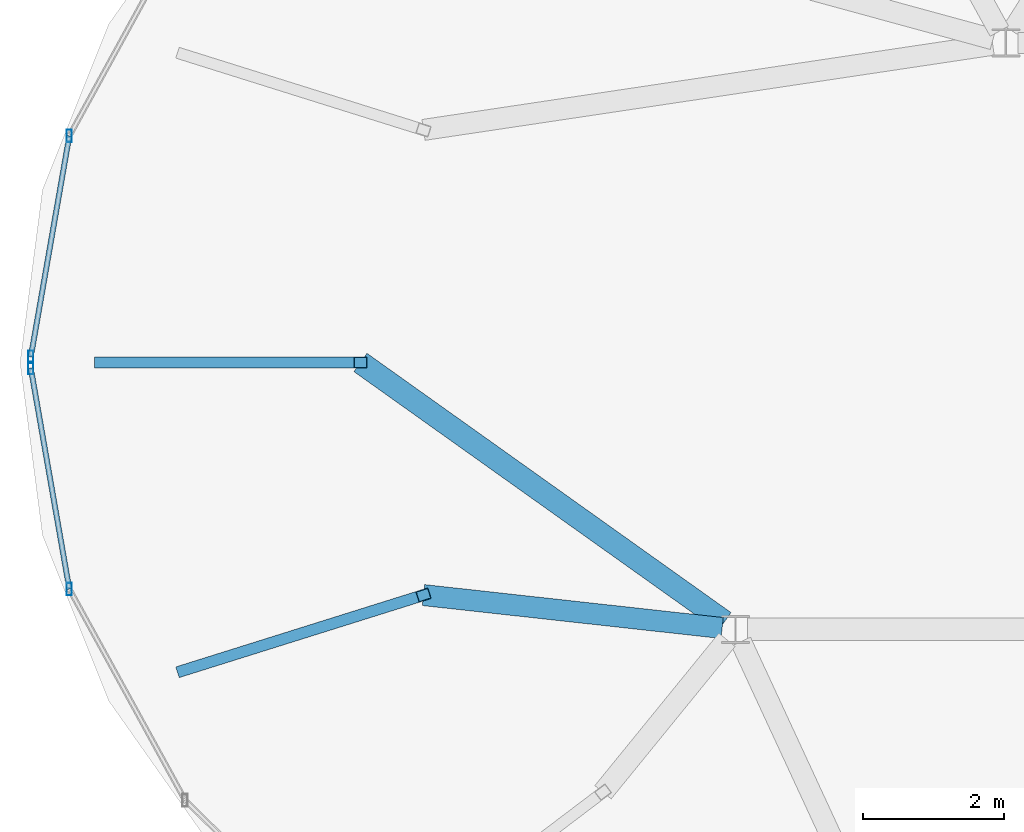
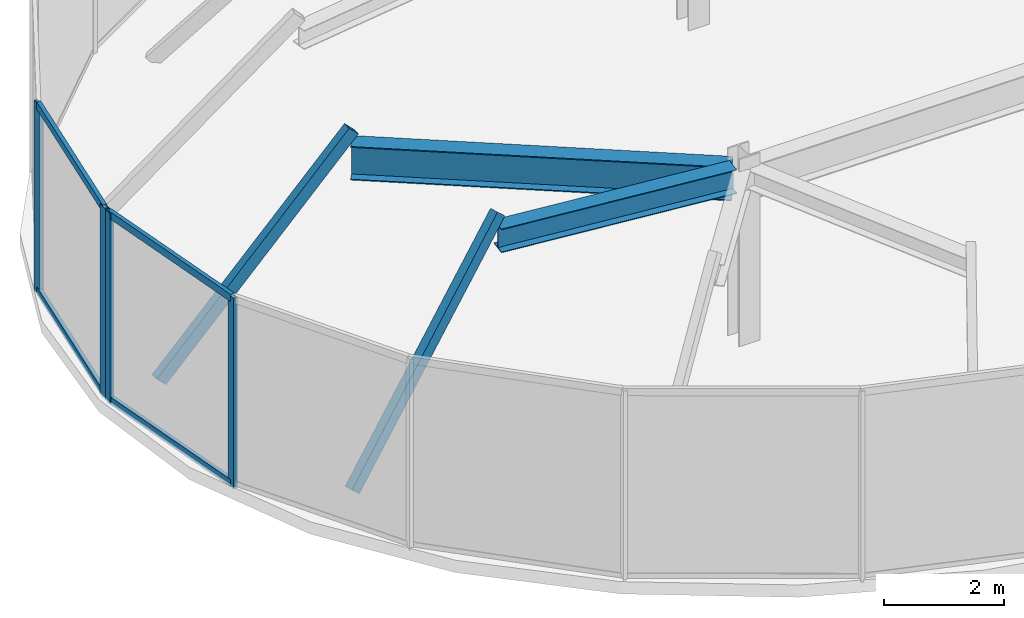
# One storey, part 4 of 13: 10 members, 2 beams, 2 elements without a shape of their own.
"""IFC4 building model written with IfcOpenShell, lengths in metres."""

from ifc_helpers import new_model, si_unit, direction, frame, origin, origin_2d, place, context, subcontext, project, spatial, hollow_rectangle, i_section, extrude, material, material_profile, profile_set, type_object, element, aggregate, save


model = new_model("IFC4")

# Units and contexts
model_context = context("Model", 3, precision=1e-05, world=origin(), true_north=direction((0.0, 1.0)))
body_context = subcontext(model_context, "Body", "Model", "MODEL_VIEW")
ifc_project = project(units=[si_unit("LENGTHUNIT", "METRE"), si_unit("AREAUNIT", "SQUARE_METRE"), si_unit("VOLUMEUNIT", "CUBIC_METRE"), si_unit("PLANEANGLEUNIT", "RADIAN"), si_unit("MASSUNIT", "GRAM", prefix="KILO")], contexts=[model_context])

# Site, building, storey
site_placement = place(None, origin())
site = spatial("IfcSite", under=ifc_project, at=site_placement, CompositionType="ELEMENT")
building_placement = place(site_placement, origin())
building = spatial("IfcBuilding", under=site, at=building_placement, Name="Vorneva Point Tower", CompositionType="ELEMENT")
storey_placement = place(building_placement, frame((0.0, 0.0, 303.0)))
storey = spatial("IfcBuildingStorey", under=building, at=storey_placement, Name="C03", CompositionType="ELEMENT", Elevation=303.0)

# Beams
ifc_material_1 = material(Name="Steel S355", Category="steel")
ifc_material_profile_1 = material_profile(ifc_material_1, i_section(OverallWidth=0.300048828125, OverallDepth=0.48193359375, WebThickness=0.010986328125, FlangeThickness=0.014892578125, at=origin_2d()), Name="50Sh1")
ifc_profile_set_1 = profile_set([ifc_material_profile_1], Name="Steel S355")
beam_type_1 = type_object("IfcBeamType", Name="BM-GRD-50Sh1", PredefinedType="USERDEFINED", material=ifc_profile_set_1)
beam_1_placement = place(storey_placement, frame((27.111083984375, 22.689697265625, 3.30908203125), z_axis=(0.993966316977, -0.109685736151, 0.0), x_axis=(0.109685736151, 0.993966316977, 0.0)))
element("IfcBeam", 1, at=beam_1_placement, inside=storey, type_object=beam_type_1, Name="C03 Radial Primary Girder 10", ObjectType="GIRDER", PredefinedType="USERDEFINED", context=body_context, shape_type="SweptSolid", body=[
    extrude(i_section(OverallWidth=0.300048828125, OverallDepth=0.48193359375, WebThickness=0.010986328125, FlangeThickness=0.014892578125, at=origin_2d()), origin(), (0.0, 0.0, 1.0), 4.27587890625),
])
ifc_material_profile_2 = material_profile(ifc_material_1, i_section(OverallWidth=0.320068359375, OverallDepth=0.68310546875, WebThickness=0.012939453125, FlangeThickness=0.01904296875, at=origin_2d()), Name="70Sh1")
ifc_profile_set_2 = profile_set([ifc_material_profile_2], Name="Steel S355")
beam_type_2 = type_object("IfcBeamType", Name="BM-GRD-70Sh1", PredefinedType="USERDEFINED", material=ifc_profile_set_2)
beam_2_placement = place(storey_placement, frame((26.214111328125, 26.0, 3.20849609375), z_axis=(0.814559952044, -0.58007937778, 0.0), x_axis=(0.58007937778, 0.814559952044, 0.0)))
element("IfcBeam", 2, at=beam_2_placement, inside=storey, type_object=beam_type_2, Name="C03 Radial Primary Girder 09", ObjectType="GIRDER", PredefinedType="USERDEFINED", context=body_context, shape_type="SweptSolid", body=[
    extrude(i_section(OverallWidth=0.320068359375, OverallDepth=0.68310546875, WebThickness=0.012939453125, FlangeThickness=0.01904296875, at=origin_2d()), origin(), (0.0, 0.0, 1.0), 6.360595703125),
])

# Curtain wall, members
ifc_material_2 = material(Name="Pale anodised aluminium", Category="aluminium")
curtain_wall_type = type_object("IfcCurtainWallType", Name="CW-CRN-SYS", PredefinedType="NOTDEFINED", material=ifc_material_2)
curtain_wall_1_placement = place(storey_placement, origin())
curtain_wall_1 = element("IfcCurtainWall", 3, at=curtain_wall_1_placement, inside=storey, type_object=curtain_wall_type, Name="C03 Unitised Curtain Wall CW-C03-Q2", PredefinedType="NOTDEFINED")
ifc_material_profile_3 = material_profile(ifc_material_2, hollow_rectangle(XDim=0.074951171875, YDim=0.179931640625, WallThickness=0.00390625, at=origin_2d()), Name="AL-MUL 180x75x4")
ifc_profile_set_3 = profile_set([ifc_material_profile_3], Name="Pale anodised aluminium")
member_type_1 = type_object("IfcMemberType", Name="CW-MUL-180", PredefinedType="MULLION", material=ifc_profile_set_3)
member_1_placement = place(storey_placement, frame((22.070068359375, 29.224853515625, -0.0400390625), z_axis=(0.0, 0.0, 1.0), x_axis=(1.0, 0.0, 0.0)))
member_1 = element("IfcMember", 4, at=member_1_placement, type_object=member_type_1, Name="CW-C03-Q2 Mullion 06", PredefinedType="MULLION", context=body_context, shape_type="SweptSolid", body=[
    extrude(hollow_rectangle(XDim=0.074951171875, YDim=0.179931640625, WallThickness=0.00390625, at=origin_2d()), origin(), (0.0, 0.0, 1.0), 3.8701171875),
])
member_2_placement = place(storey_placement, frame((21.521728515625, 26.078857421875, -0.0400390625), z_axis=(0.0, 0.0, 1.0), x_axis=(1.0, 0.0, 0.0)))
member_2 = element("IfcMember", 5, at=member_2_placement, type_object=member_type_1, Name="CW-C03-Q2 Mullion 07", PredefinedType="MULLION", context=body_context, shape_type="SweptSolid", body=[
    extrude(hollow_rectangle(XDim=0.074951171875, YDim=0.179931640625, WallThickness=0.00390625, at=origin_2d()), origin(), (0.0, 0.0, 1.0), 3.8701171875),
])

curtain_wall_2_placement = place(storey_placement, origin())
curtain_wall_2 = element("IfcCurtainWall", 6, at=curtain_wall_2_placement, inside=storey, type_object=curtain_wall_type, Name="C03 Unitised Curtain Wall CW-C03-Q3", PredefinedType="NOTDEFINED")
member_3_placement = place(storey_placement, frame((21.521728515625, 25.921142578125, -0.0400390625), z_axis=(0.0, 0.0, 1.0), x_axis=(1.0, 0.0, 0.0)))
member_3 = element("IfcMember", 7, at=member_3_placement, type_object=member_type_1, Name="CW-C03-Q3 Mullion 01", PredefinedType="MULLION", context=body_context, shape_type="SweptSolid", body=[
    extrude(hollow_rectangle(XDim=0.074951171875, YDim=0.179931640625, WallThickness=0.00390625, at=origin_2d()), origin(), (0.0, 0.0, 1.0), 3.8701171875),
])
member_4_placement = place(storey_placement, frame((22.070068359375, 22.775146484375, -0.0400390625), z_axis=(0.0, 0.0, 1.0), x_axis=(1.0, 0.0, 0.0)))
member_4 = element("IfcMember", 8, at=member_4_placement, type_object=member_type_1, Name="CW-C03-Q3 Mullion 02", PredefinedType="MULLION", context=body_context, shape_type="SweptSolid", body=[
    extrude(hollow_rectangle(XDim=0.074951171875, YDim=0.179931640625, WallThickness=0.00390625, at=origin_2d()), origin(), (0.0, 0.0, 1.0), 3.8701171875),
])

# Member
ifc_material_profile_4 = material_profile(ifc_material_2, hollow_rectangle(XDim=0.074951171875, YDim=0.14990234375, WallThickness=0.00390625, at=origin_2d()), Name="AL-TRN 150x75x4")
ifc_profile_set_4 = profile_set([ifc_material_profile_4], Name="Pale anodised aluminium")
member_type_2 = type_object("IfcMemberType", Name="CW-TRN-150", PredefinedType="USERDEFINED", material=ifc_profile_set_4)
member_5_placement = place(storey_placement, frame((22.070068359375, 29.224853515625, 0.02001953125), z_axis=(-0.171708969323, -0.985147719814, 0.0), x_axis=(0.985147719814, -0.171708969323, 0.0)))
member_5 = element("IfcMember", 9, at=member_5_placement, type_object=member_type_2, Name="CW-C03-Q2 Transom 06.1", ObjectType="TRANSOM", PredefinedType="USERDEFINED", context=body_context, shape_type="SweptSolid", body=[
    extrude(hollow_rectangle(XDim=0.074951171875, YDim=0.14990234375, WallThickness=0.00390625, at=origin_2d()), origin(), (0.0, 0.0, 1.0), 3.193359375),
])

member_6_placement = place(storey_placement, frame((22.070068359375, 29.224853515625, 3.780029296875), z_axis=(-0.171708969323, -0.985147719814, 0.0), x_axis=(0.985147719814, -0.171708969323, 0.0)))
member_6 = element("IfcMember", 10, at=member_6_placement, type_object=member_type_2, Name="CW-C03-Q2 Transom 06.2", ObjectType="TRANSOM", PredefinedType="USERDEFINED", context=body_context, shape_type="SweptSolid", body=[
    extrude(hollow_rectangle(XDim=0.074951171875, YDim=0.14990234375, WallThickness=0.00390625, at=origin_2d()), origin(), (0.0, 0.0, 1.0), 3.193359375),
])

aggregate(curtain_wall_1, [member_1, member_2, member_5, member_6])

member_7_placement = place(storey_placement, frame((21.521728515625, 25.921142578125, 0.02001953125), z_axis=(0.171708969323, -0.985147719814, 0.0), x_axis=(0.985147719814, 0.171708969323, 0.0)))
member_7 = element("IfcMember", 11, at=member_7_placement, type_object=member_type_2, Name="CW-C03-Q3 Transom 01.1", ObjectType="TRANSOM", PredefinedType="USERDEFINED", context=body_context, shape_type="SweptSolid", body=[
    extrude(hollow_rectangle(XDim=0.074951171875, YDim=0.14990234375, WallThickness=0.00390625, at=origin_2d()), origin(), (0.0, 0.0, 1.0), 3.193359375),
])

member_8_placement = place(storey_placement, frame((21.521728515625, 25.921142578125, 3.780029296875), z_axis=(0.171708969323, -0.985147719814, 0.0), x_axis=(0.985147719814, 0.171708969323, 0.0)))
member_8 = element("IfcMember", 12, at=member_8_placement, type_object=member_type_2, Name="CW-C03-Q3 Transom 01.2", ObjectType="TRANSOM", PredefinedType="USERDEFINED", context=body_context, shape_type="SweptSolid", body=[
    extrude(hollow_rectangle(XDim=0.074951171875, YDim=0.14990234375, WallThickness=0.00390625, at=origin_2d()), origin(), (0.0, 0.0, 1.0), 3.193359375),
])

aggregate(curtain_wall_2, [member_3, member_4, member_7, member_8])

# Members
ifc_material_profile_5 = material_profile(ifc_material_1, hollow_rectangle(XDim=0.159912109375, YDim=0.25, WallThickness=0.010009765625, at=origin_2d()), Name="PP 250x160x10")
ifc_profile_set_5 = profile_set([ifc_material_profile_5], Name="Steel S355")
member_type_3 = type_object("IfcMemberType", Name="MBR-CRN-PP250", PredefinedType="CHORD", material=ifc_profile_set_5)
member_9_placement = place(storey_placement, frame((22.51806640625, 26.0, 0.0), z_axis=(0.697228984298, 0.0, 0.716848480124), x_axis=(0.0, 1.0, 0.0)))
element("IfcMember", 13, at=member_9_placement, inside=storey, type_object=member_type_3, Name="Crown Tapered Frame Rib C03-09", PredefinedType="CHORD", context=body_context, shape_type="SweptSolid", body=[
    extrude(hollow_rectangle(XDim=0.159912109375, YDim=0.25, WallThickness=0.010009765625, at=origin_2d()), origin(), (0.0, 0.0, 1.0), 5.301025390625),
])
member_10_placement = place(storey_placement, frame((23.696533203125, 21.618408203125, 0.0), z_axis=(0.654143045679, 0.20523235267, 0.727994888174), x_axis=(-0.299354688217, 0.954141902781, 0.0)))
element("IfcMember", 14, at=member_10_placement, inside=storey, type_object=member_type_3, Name="Crown Tapered Frame Rib C03-10", PredefinedType="CHORD", context=body_context, shape_type="SweptSolid", body=[
    extrude(hollow_rectangle(XDim=0.159912109375, YDim=0.25, WallThickness=0.010009765625, at=origin_2d()), origin(), (0.0, 0.0, 1.0), 5.219970703125),
])

save(model, "model.ifc")
